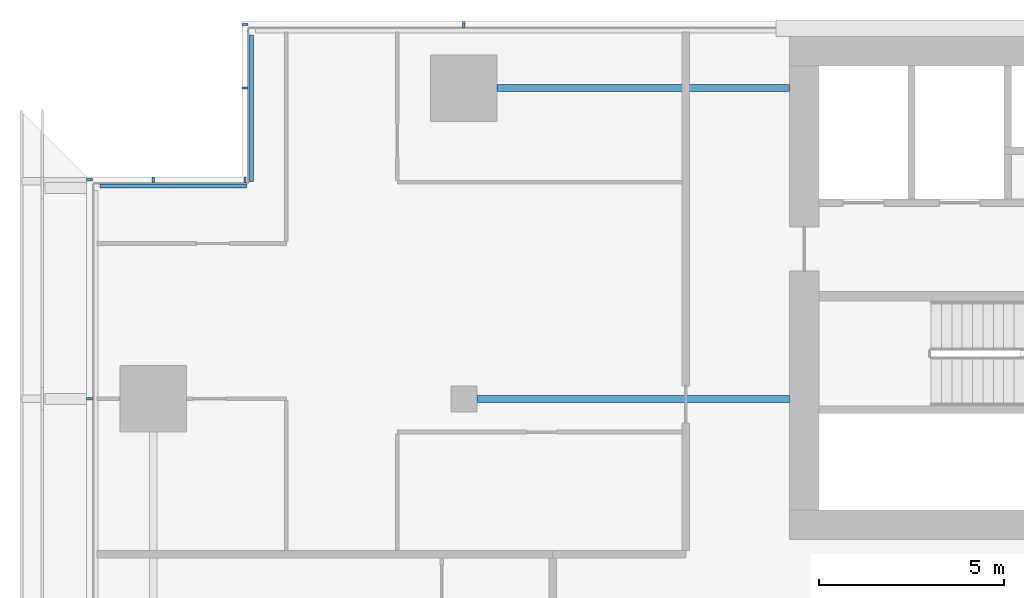
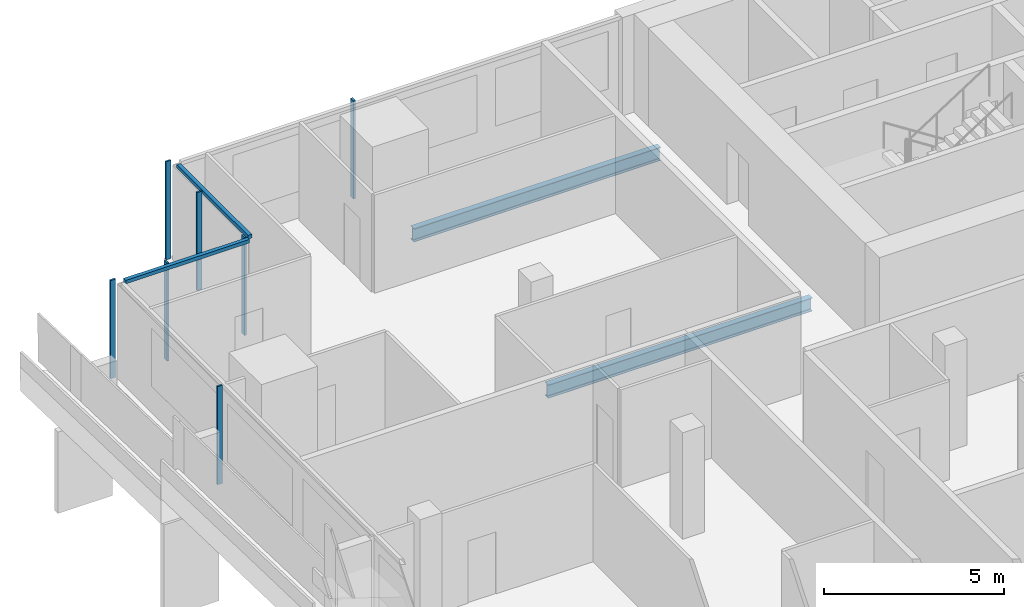
# One storey, part 7 of 27: 9 members, 2 beams, 4 elements without a shape of their own.
"""IFC4 building model written with IfcOpenShell, lengths in metres."""

import ifcopenshell
import ifcopenshell.guid

model = None  # the IFC model being written
_history = None  # IfcOwnerHistory: only IFC2X3 demands one
_inside = {}  # id of a spatial element -> (the spatial element, [elements in it])
_under = {}  # id of a project, library or spatial element -> (it, [spatial elements below it])
_declared = {}  # id of a project -> (the project, [libraries it declares])
_typed = {}  # id of a type object -> (the type object, [elements of that type])
_made_of = {}  # id of a material, layer set ... -> (it, [elements and type objects made of it])


def new_model(schema):
    """Start an empty IFC model of exactly this schema.

    Asked for "IFC4X3", IfcOpenShell would pick the latest addendum, in which some entities
    have other attributes; the version numbers below select the first issue.
    IFC2X3 requires an IfcOwnerHistory on every rooted entity: one is made here for all.
    """
    global model, _history
    if schema == "IFC4X3":
        model = ifcopenshell.file(schema_version=(4, 3, 0, 0))
    else:
        model = ifcopenshell.file(schema=schema)
    _inside.clear()
    _under.clear()
    _declared.clear()
    _typed.clear()
    _made_of.clear()
    _history = None
    if model.schema == "IFC2X3":
        org = make("IfcOrganization", Name="unknown")
        user = make(
            "IfcPersonAndOrganization",
            ThePerson=make("IfcPerson", FamilyName="unknown"),
            TheOrganization=org,
        )
        app = make(
            "IfcApplication",
            ApplicationDeveloper=org,
            Version="unknown",
            ApplicationFullName="unknown",
            ApplicationIdentifier="unknown",
        )
        _history = make(
            "IfcOwnerHistory",
            OwningUser=user,
            OwningApplication=app,
            ChangeAction="ADDED",
            CreationDate=0,
        )
    return model


def make(cls, **values):
    """One entity of the class cls with the attributes given. An attribute that is None is left unset."""
    return model.create_entity(
        cls, **{name: value for name, value in values.items() if value is not None}
    )


def rooted(cls, **values):
    """An entity with a GlobalId (a new one), such as an element, a storey or a relation."""
    return make(cls, GlobalId=ifcopenshell.guid.new(), OwnerHistory=_history, **values)


def si_unit(unit_type, name, prefix=None):
    """IfcSIUnit, for example si_unit("LENGTHUNIT", "METRE", prefix="MILLI")."""
    return make("IfcSIUnit", UnitType=unit_type, Prefix=prefix, Name=name)


def assignment(units):
    """IfcUnitAssignment: the units of a project."""
    return None if units is None else make("IfcUnitAssignment", Units=units)


def point(xyz):
    """IfcCartesianPoint."""
    return None if xyz is None else make("IfcCartesianPoint", Coordinates=xyz)


def direction(xyz):
    """IfcDirection."""
    return None if xyz is None else make("IfcDirection", DirectionRatios=xyz)


def frame(location, z_axis=None, x_axis=None):
    """IfcAxis2Placement3D, a coordinate frame: its origin and axes. An axis left out is left unset."""
    return make(
        "IfcAxis2Placement3D",
        Location=point(location),
        Axis=direction(z_axis),
        RefDirection=direction(x_axis),
    )


def frame_2d(location, x_axis=None):
    """IfcAxis2Placement2D, a coordinate frame in the plane: its origin and x axis."""
    return make(
        "IfcAxis2Placement2D", Location=point(location), RefDirection=direction(x_axis)
    )


def origin():
    """The frame at (0, 0, 0) with its axes left unset."""
    return frame((0.0, 0.0, 0.0))


def origin_2d():
    """The frame at (0, 0) in the plane with its x axis left unset."""
    return frame_2d((0.0, 0.0))


def place(relative_to, where):
    """IfcLocalPlacement: puts the frame where relative to a parent placement (None: the world)."""
    return make(
        "IfcLocalPlacement", PlacementRelTo=relative_to, RelativePlacement=where
    )


def context(
    kind, dimensions, precision=None, world=None, true_north=None, identifier=None
):
    """IfcGeometricRepresentationContext, for example the 3D "Model" context."""
    return make(
        "IfcGeometricRepresentationContext",
        ContextIdentifier=identifier,
        ContextType=kind,
        CoordinateSpaceDimension=dimensions,
        Precision=precision,
        WorldCoordinateSystem=world,
        TrueNorth=true_north,
    )


def subcontext(parent, identifier, kind, view, scale=None):
    """IfcGeometricRepresentationSubContext, for example "Body" below "Model"."""
    return make(
        "IfcGeometricRepresentationSubContext",
        ContextIdentifier=identifier,
        ContextType=kind,
        ParentContext=parent,
        TargetScale=scale,
        TargetView=view,
    )


def project(units=None, contexts=None):
    """IfcProject with its units and contexts."""
    return rooted(
        "IfcProject",
        Name="project",
        RepresentationContexts=contexts,
        UnitsInContext=assignment(units),
    )


def spatial(cls, under=None, at=None, **own):
    """A site, building, storey or space (cls), placed at a placement, below another one or the project."""
    s = rooted(cls, ObjectPlacement=at, **own)
    if under is not None:
        _under.setdefault(under.id(), (under, []))[1].append(s)
    return s


def profile(cls, at=None, kind="AREA", **sizes):
    """A parametric profile (cls). Its sizes go by their IFC names, for example OverallWidth=200.0."""
    return make(cls, ProfileType=kind, Position=at, **sizes)


def rectangle(**sizes):
    """IfcRectangleProfileDef."""
    return profile("IfcRectangleProfileDef", **sizes)


def i_section(**sizes):
    """IfcIShapeProfileDef."""
    return profile("IfcIShapeProfileDef", **sizes)


def extrude(swept, where, along, depth):
    """IfcExtrudedAreaSolid: the profile swept, set in the frame where, extruded along a direction by depth."""
    return make(
        "IfcExtrudedAreaSolid",
        SweptArea=swept,
        Position=where,
        ExtrudedDirection=direction(along),
        Depth=depth,
    )


def shape(context_of_items, identifier, shape_type, items):
    """IfcShapeRepresentation: the items that make up one representation, for example the "Body"."""
    return make(
        "IfcShapeRepresentation",
        ContextOfItems=context_of_items,
        RepresentationIdentifier=identifier,
        RepresentationType=shape_type,
        Items=items,
    )


def material(Name=None, Category=None):
    """IfcMaterial."""
    return make("IfcMaterial", Name=Name, Category=Category)


def material_profile(
    of_material, cross_section, Name=None, Category=None, Priority=None
):
    """IfcMaterialProfile: a cross section and its material."""
    return make(
        "IfcMaterialProfile",
        Name=Name,
        Material=of_material,
        Profile=cross_section,
        Priority=Priority,
        Category=Category,
    )


def profile_set(profiles, Name=None, composite=None):
    """IfcMaterialProfileSet."""
    return make(
        "IfcMaterialProfileSet",
        Name=Name,
        MaterialProfiles=profiles,
        CompositeProfile=composite,
    )


def made_of(thing, what):
    """Note that an element or type object is made of a material, layer set ...; save() writes the relation."""
    if what is not None:
        _made_of.setdefault(what.id(), (what, []))[1].append(thing)
    return thing


def type_object(cls, material=None, **own):
    """A type object (cls), such as IfcWallType, which elements share."""
    return made_of(rooted(cls, **own), material)


def element(
    cls,
    number,
    at=None,
    inside=None,
    cuts=None,
    type_object=None,
    material=None,
    context=None,
    identifier="Body",
    shape_type=None,
    held_by="IfcProductDefinitionShape",
    body=None,
    shapes=None,
    **own,
):
    """One element of the class cls, such as IfcWall. Its Tag is "e" and its number.

    at: its placement. inside: the storey or other place that contains it. cuts: it is an
    opening in that element (IfcRelVoidsElement). A single representation is given by context,
    identifier, shape_type and body (its items); several are given by shapes. held_by: the class
    of the entity that holds the representations. save() writes the other relations.
    """
    e = rooted(cls, Tag="e%d" % number, ObjectPlacement=at, **own)
    if body is not None:
        shapes = [shape(context, identifier, shape_type, body)]
    if shapes is not None:
        e.Representation = make(held_by, Representations=shapes)
    if inside is not None:
        _inside.setdefault(inside.id(), (inside, []))[1].append(e)
    if cuts is not None:
        rooted(
            "IfcRelVoidsElement", RelatingBuildingElement=cuts, RelatedOpeningElement=e
        )
    if type_object is not None:
        _typed.setdefault(type_object.id(), (type_object, []))[1].append(e)
    return made_of(e, material)


def aggregate(whole, parts):
    """IfcRelAggregates: a whole, such as a stair, and the parts it consists of."""
    return rooted("IfcRelAggregates", RelatingObject=whole, RelatedObjects=parts)


def save(model, path):
    """Write the relations noted so far, then the file.

    IfcRelAggregates (storeys below a building ...), IfcRelContainedInSpatialStructure (elements
    in a storey), IfcRelDefinesByType, IfcRelAssociatesMaterial and IfcRelDeclares: one each for
    every whole, place, type object, material and project.
    """
    for whole, parts in _under.values():
        aggregate(whole, parts)
    for where, things in _inside.values():
        rooted(
            "IfcRelContainedInSpatialStructure",
            RelatedElements=things,
            RelatingStructure=where,
        )
    for kind, things in _typed.values():
        rooted("IfcRelDefinesByType", RelatedObjects=things, RelatingType=kind)
    for what, things in _made_of.values():
        rooted("IfcRelAssociatesMaterial", RelatedObjects=things, RelatingMaterial=what)
    for by, libraries in _declared.values():
        rooted("IfcRelDeclares", RelatingContext=by, RelatedDefinitions=libraries)
    model.write(path)


model = new_model("IFC4")

# Units and contexts
model_context = context("Model", 3, precision=1e-05, world=origin(), true_north=direction((0.0, 1.0)))
body_context = subcontext(model_context, "Body", "Model", "MODEL_VIEW")
ifc_project = project(units=[si_unit("LENGTHUNIT", "METRE"), si_unit("AREAUNIT", "SQUARE_METRE"), si_unit("VOLUMEUNIT", "CUBIC_METRE"), si_unit("PLANEANGLEUNIT", "RADIAN"), si_unit("MASSUNIT", "GRAM", prefix="KILO")], contexts=[model_context])

# Site, building, storey
site_placement = place(None, origin())
site = spatial("IfcSite", under=ifc_project, at=site_placement, CompositionType="ELEMENT")
building_placement = place(site_placement, origin())
building = spatial("IfcBuilding", under=site, at=building_placement, Name="Saffron Gate Tower", CompositionType="ELEMENT")
storey_placement = place(building_placement, frame((0.0, 0.0, 183.449951171875)))
storey = spatial("IfcBuildingStorey", under=building, at=storey_placement, Name="L45", CompositionType="ELEMENT", Elevation=183.449951171875)

# Beams
ifc_material_1 = material(Name="Structural steel S355", Category="steel")
ifc_material_profile_1 = material_profile(ifc_material_1, i_section(OverallWidth=0.18994140625, OverallDepth=0.449951171875, WebThickness=0.009521484375, FlangeThickness=0.0146484375, FilletRadius=0.02099609375, at=origin_2d()))
ifc_profile_set_1 = profile_set([ifc_material_profile_1], Name="Structural steel S355")
beam_type = type_object("IfcBeamType", Name="B6 IPE 450", PredefinedType="BEAM", material=ifc_profile_set_1)
beam_1_placement = place(storey_placement, frame((58.550048828125, 65.39990234375, -0.5048828125), z_axis=(1.0, 0.0, 0.0), x_axis=(0.0, 1.0, 0.0)))
element("IfcBeam", 1, at=beam_1_placement, inside=storey, type_object=beam_type, Name="B6 CORE TIE BEAM", PredefinedType="BEAM", context=body_context, shape_type="SweptSolid", body=[
    extrude(i_section(OverallWidth=0.18994140625, OverallDepth=0.449951171875, WebThickness=0.009521484375, FlangeThickness=0.0146484375, FilletRadius=0.02099609375, at=origin_2d()), origin(), (0.0, 0.0, 1.0), 8.449951171875),
])
beam_2_placement = place(storey_placement, frame((59.10009765625, 73.800048828125, -0.5048828125), z_axis=(1.0, 0.0, 0.0), x_axis=(0.0, 1.0, 0.0)))
element("IfcBeam", 2, at=beam_2_placement, inside=storey, type_object=beam_type, Name="B6 CORE TIE BEAM", PredefinedType="BEAM", context=body_context, shape_type="SweptSolid", body=[
    extrude(i_section(OverallWidth=0.18994140625, OverallDepth=0.449951171875, WebThickness=0.009521484375, FlangeThickness=0.0146484375, FilletRadius=0.02099609375, at=origin_2d()), origin(), (0.0, 0.0, 1.0), 7.89990234375),
])

# Curtain wall, members
ifc_material_2 = material(Name="Aluminium, bronze anodised", Category="aluminium")
curtain_wall_type_1 = type_object("IfcCurtainWallType", Name="CWS2 curtain wall side facades", PredefinedType="NOTDEFINED", material=ifc_material_2)
curtain_wall_1_placement = place(storey_placement, origin())
curtain_wall_1 = element("IfcCurtainWall", 3, at=curtain_wall_1_placement, inside=storey, type_object=curtain_wall_type_1, Name="CWS2 run 10", PredefinedType="NOTDEFINED")
ifc_material_profile_2 = material_profile(ifc_material_2, rectangle(XDim=0.159912109375, YDim=0.06005859375, at=origin_2d()))
ifc_profile_set_2 = profile_set([ifc_material_profile_2], Name="Aluminium, bronze anodised")
member_type_1 = type_object("IfcMemberType", Name="CWS2 mullion 60x160", PredefinedType="MULLION", material=ifc_profile_set_2)
member_1_placement = place(storey_placement, frame((48.080078125, 71.320068359375, 0.0), z_axis=(0.0, 0.0, 1.0), x_axis=(1.0, 0.0, 0.0)))
member_1 = element("IfcMember", 4, at=member_1_placement, type_object=member_type_1, Name="CWS2 mullion 1", PredefinedType="MULLION", context=body_context, shape_type="SweptSolid", body=[
    extrude(rectangle(XDim=0.159912109375, YDim=0.06005859375, at=origin_2d()), origin(), (0.0, 0.0, 1.0), 3.320068359375),
])
member_2_placement = place(storey_placement, frame((48.080078125, 65.39990234375, 0.0), z_axis=(0.0, 0.0, 1.0), x_axis=(1.0, 0.0, 0.0)))
member_2 = element("IfcMember", 5, at=member_2_placement, type_object=member_type_1, Name="CWS2 mullion 2", PredefinedType="MULLION", context=body_context, shape_type="SweptSolid", body=[
    extrude(rectangle(XDim=0.159912109375, YDim=0.06005859375, at=origin_2d()), origin(), (0.0, 0.0, 1.0), 3.320068359375),
])
aggregate(curtain_wall_1, [member_1, member_2])

# Curtain wall, member
curtain_wall_type_2 = type_object("IfcCurtainWallType", Name="CWS3 curtain wall rear facade", PredefinedType="NOTDEFINED", material=ifc_material_2)
curtain_wall_2_placement = place(storey_placement, origin())
curtain_wall_2 = element("IfcCurtainWall", 6, at=curtain_wall_2_placement, inside=storey, type_object=curtain_wall_type_2, Name="CWS3 run 7", PredefinedType="NOTDEFINED")
ifc_material_profile_3 = material_profile(ifc_material_2, rectangle(XDim=0.159912109375, YDim=0.070068359375, at=origin_2d()))
ifc_profile_set_3 = profile_set([ifc_material_profile_3], Name="Aluminium, bronze anodised")
member_type_2 = type_object("IfcMemberType", Name="CWS3 mullion 70x160", PredefinedType="MULLION", material=ifc_profile_set_3)
member_3_placement = place(storey_placement, frame((58.199951171875, 75.52001953125, 0.0), z_axis=(0.0, 0.0, 1.0), x_axis=(0.0, -1.0, 0.0)))
member_3 = element("IfcMember", 7, at=member_3_placement, type_object=member_type_2, Name="CWS3 mullion 9", PredefinedType="MULLION", context=body_context, shape_type="SweptSolid", body=[
    extrude(rectangle(XDim=0.159912109375, YDim=0.070068359375, at=origin_2d()), origin(), (0.0, 0.0, 1.0), 3.320068359375),
])
aggregate(curtain_wall_2, [member_3])

curtain_wall_type_3 = type_object("IfcCurtainWallType", Name="CWS4 curtain wall corner returns", PredefinedType="NOTDEFINED", material=ifc_material_2)
curtain_wall_3_placement = place(storey_placement, origin())
curtain_wall_3 = element("IfcCurtainWall", 8, at=curtain_wall_3_placement, inside=storey, type_object=curtain_wall_type_3, Name="CWS4 run 8", PredefinedType="NOTDEFINED")
ifc_material_profile_4 = material_profile(ifc_material_2, rectangle(XDim=0.1201171875, YDim=0.1201171875, at=origin_2d()))
ifc_profile_set_4 = profile_set([ifc_material_profile_4], Name="Aluminium, bronze anodised")
member_type_3 = type_object("IfcMemberType", Name="CWS4 head transom", PredefinedType="USERDEFINED", material=ifc_profile_set_4)
member_4_placement = place(storey_placement, frame((52.447998046875, 75.23193359375, 3.260009765625), z_axis=(0.0, -1.0, 0.0), x_axis=(1.0, 0.0, 0.0)))
member_4 = element("IfcMember", 9, at=member_4_placement, type_object=member_type_3, Name="CWS4 head transom", ObjectType="TRANSOM", PredefinedType="USERDEFINED", context=body_context, shape_type="SweptSolid", body=[
    extrude(rectangle(XDim=0.1201171875, YDim=0.1201171875, at=origin_2d()), origin(), (0.0, 0.0, 1.0), 3.9599609375),
])

curtain_wall_4_placement = place(storey_placement, origin())
curtain_wall_4 = element("IfcCurtainWall", 10, at=curtain_wall_4_placement, inside=storey, type_object=curtain_wall_type_3, Name="CWS4 run 9", PredefinedType="NOTDEFINED")
member_5_placement = place(storey_placement, frame((52.327880859375, 71.152099609375, 3.260009765625), z_axis=(-1.0, 0.0, 0.0), x_axis=(0.0, -1.0, 0.0)))
member_5 = element("IfcMember", 11, at=member_5_placement, type_object=member_type_3, Name="CWS4 head transom", ObjectType="TRANSOM", PredefinedType="USERDEFINED", context=body_context, shape_type="SweptSolid", body=[
    extrude(rectangle(XDim=0.1201171875, YDim=0.1201171875, at=origin_2d()), origin(), (0.0, 0.0, 1.0), 3.9599609375),
])

# Member
ifc_material_profile_5 = material_profile(ifc_material_2, rectangle(XDim=0.159912109375, YDim=0.06005859375, at=origin_2d()))
ifc_profile_set_5 = profile_set([ifc_material_profile_5], Name="Aluminium, bronze anodised")
member_type_4 = type_object("IfcMemberType", Name="CWS4 mullion 60x160", PredefinedType="MULLION", material=ifc_profile_set_5)
member_6_placement = place(storey_placement, frame((52.280029296875, 75.52001953125, 0.0), z_axis=(0.0, 0.0, 1.0), x_axis=(1.0, 0.0, 0.0)))
member_6 = element("IfcMember", 12, at=member_6_placement, type_object=member_type_4, Name="CWS4 mullion 1", PredefinedType="MULLION", context=body_context, shape_type="SweptSolid", body=[
    extrude(rectangle(XDim=0.159912109375, YDim=0.06005859375, at=origin_2d()), origin(), (0.0, 0.0, 1.0), 3.320068359375),
])

member_7_placement = place(storey_placement, frame((52.280029296875, 73.800048828125, 0.0), z_axis=(0.0, 0.0, 1.0), x_axis=(1.0, 0.0, 0.0)))
member_7 = element("IfcMember", 13, at=member_7_placement, type_object=member_type_4, Name="CWS4 mullion 2", PredefinedType="MULLION", context=body_context, shape_type="SweptSolid", body=[
    extrude(rectangle(XDim=0.159912109375, YDim=0.06005859375, at=origin_2d()), origin(), (0.0, 0.0, 1.0), 3.320068359375),
])

aggregate(curtain_wall_3, [member_6, member_7, member_4])

member_8_placement = place(storey_placement, frame((52.280029296875, 71.320068359375, 0.0), z_axis=(0.0, 0.0, 1.0), x_axis=(0.0, -1.0, 0.0)))
member_8 = element("IfcMember", 14, at=member_8_placement, type_object=member_type_4, Name="CWS4 mullion 1", PredefinedType="MULLION", context=body_context, shape_type="SweptSolid", body=[
    extrude(rectangle(XDim=0.159912109375, YDim=0.06005859375, at=origin_2d()), origin(), (0.0, 0.0, 1.0), 3.320068359375),
])

member_9_placement = place(storey_placement, frame((49.800048828125, 71.320068359375, 0.0), z_axis=(0.0, 0.0, 1.0), x_axis=(0.0, -1.0, 0.0)))
member_9 = element("IfcMember", 15, at=member_9_placement, type_object=member_type_4, Name="CWS4 mullion 2", PredefinedType="MULLION", context=body_context, shape_type="SweptSolid", body=[
    extrude(rectangle(XDim=0.159912109375, YDim=0.06005859375, at=origin_2d()), origin(), (0.0, 0.0, 1.0), 3.320068359375),
])

aggregate(curtain_wall_4, [member_8, member_9, member_5])

save(model, "model.ifc")
